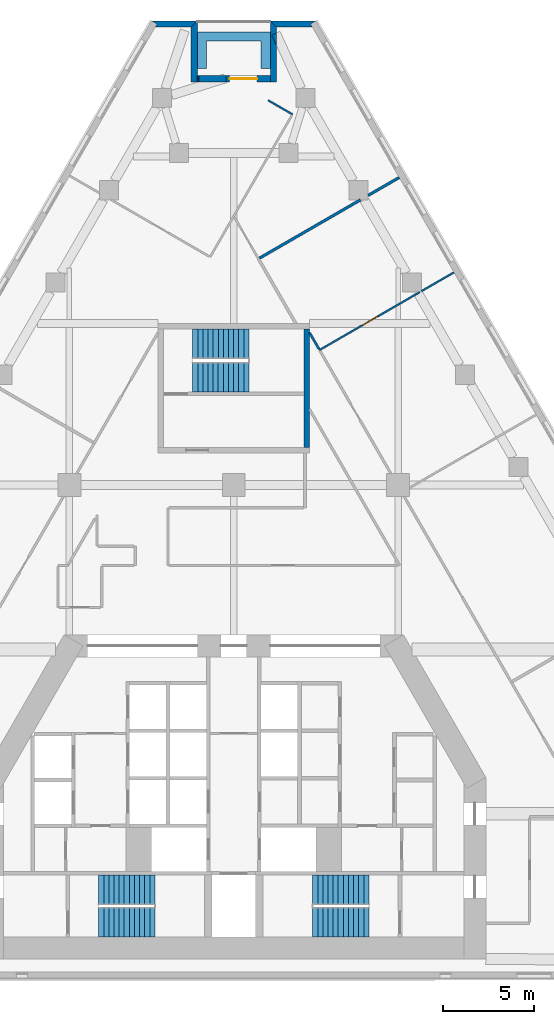
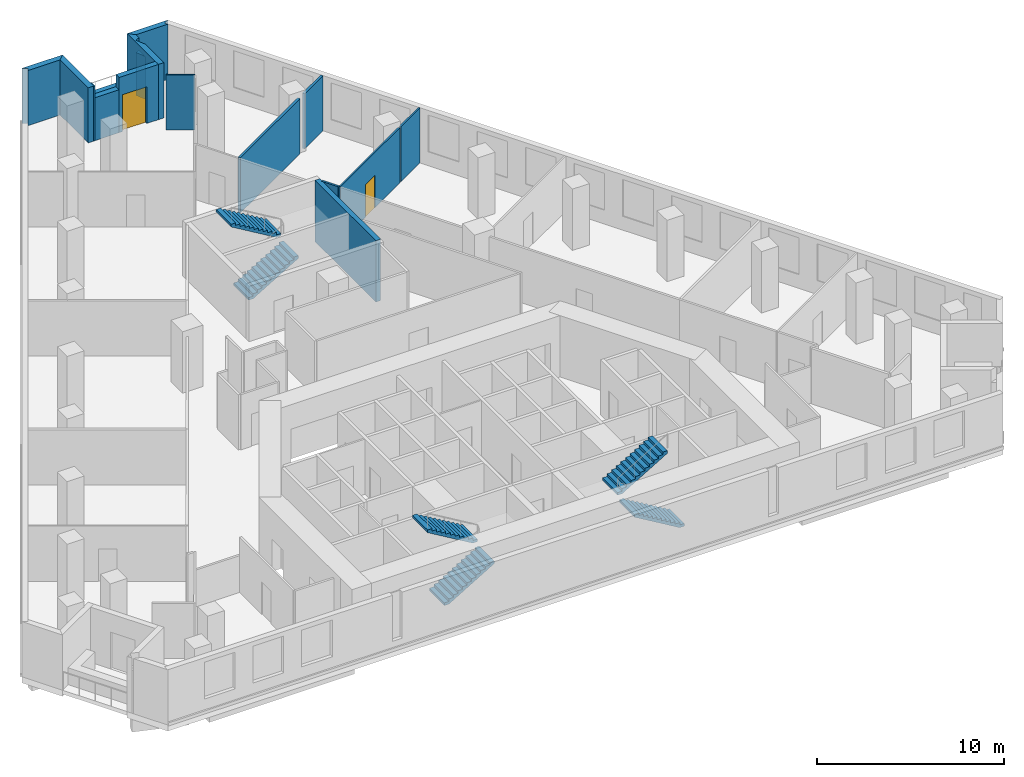
# One storey, part 9 of 10: 16 walls, 6 stair flights, 2 doors, 2 openings, 3 elements without a shape of their own.
"""IFC4 building model written with IfcOpenShell, lengths in metres."""

from ifc_helpers import new_model, si_unit, direction, frame, frame_2d, origin, place, context, subcontext, project, spatial, polyline, rectangle, outline, extrude, material, layer, layer_set, type_object, element, fill, aggregate, save


model = new_model("IFC4")

# Units and contexts
model_context = context("Model", 3, precision=1e-05, world=origin(), true_north=direction((0.0, 1.0)))
body_context = subcontext(model_context, "Body", "Model", "MODEL_VIEW")
ifc_project = project(units=[si_unit("LENGTHUNIT", "METRE"), si_unit("AREAUNIT", "SQUARE_METRE"), si_unit("VOLUMEUNIT", "CUBIC_METRE"), si_unit("PLANEANGLEUNIT", "RADIAN"), si_unit("MASSUNIT", "GRAM", prefix="KILO")], contexts=[model_context])

# Site, building, storey
site_placement = place(None, origin())
site = spatial("IfcSite", under=ifc_project, at=site_placement, CompositionType="ELEMENT")
building_placement = place(site_placement, origin())
building = spatial("IfcBuilding", under=site, at=building_placement, Name="Fogline Exchange Tower", CompositionType="ELEMENT")
storey_placement = place(building_placement, frame((0.0, 0.0, 112.10009765625)))
storey = spatial("IfcBuildingStorey", under=building, at=storey_placement, Name="L24", CompositionType="ELEMENT", Elevation=112.10009765625)

# Walls
ifc_material_1 = material(Name="Concrete C40", Category="concrete")
ifc_layer_1 = layer(ifc_material_1, 0.300048828125)
ifc_layer_set_1 = layer_set([ifc_layer_1], Name="CW30")
wall_type_1 = type_object("IfcWallType", Name="CW30", PredefinedType="SOLIDWALL", material=ifc_layer_set_1)
wall_1_placement = place(storey_placement, frame((4.0, 29.056884765625, -0.400146484375), z_axis=(0.0, 0.0, 1.0), x_axis=(0.0, 1.0, 0.0)))
element("IfcWall", 1, at=wall_1_placement, inside=storey, type_object=wall_type_1, Name="Stair enclosure wall ST3", PredefinedType="SOLIDWALL", context=body_context, shape_type="SweptSolid", body=[
    extrude(rectangle(XDim=6.5, YDim=0.300048828125, at=frame_2d((3.25, 0.0))), origin(), (0.0, 0.0, 1.0), 4.0),
])
ifc_material_2 = material(Name="Brick masonry", Category="masonry")
ifc_layer_2 = layer(ifc_material_2, 0.340087890625)
ifc_layer_set_2 = layer_set([ifc_layer_2], Name="FW1")
wall_type_2 = type_object("IfcWallType", Name="FW1", PredefinedType="SOLIDWALL", material=ifc_layer_set_2)
wall_2_placement = place(storey_placement, origin())
element("IfcWall", 2, at=wall_2_placement, inside=storey, type_object=wall_type_2, Name="Brick wall L24 N-c1", PredefinedType="SOLIDWALL", context=body_context, shape_type="SweptSolid", body=[
    extrude(outline(polyline([(1.9990234375, 52.42236328125), (4.5009765625, 52.42236328125), (4.501220703125, 52.421630859375), (4.206298828125, 52.25146484375), (4.3046875, 52.0810546875), (2.33984375, 52.0810546875), (1.998779296875, 52.421875), (1.9990234375, 52.42236328125)])), origin(), (0.0, 0.0, 1.0), 3.599853515625),
])
wall_3_placement = place(storey_placement, origin())
element("IfcWall", 3, at=wall_3_placement, inside=storey, type_object=wall_type_2, Name="Brick wall L24 N-s1", PredefinedType="SOLIDWALL", context=body_context, shape_type="SweptSolid", body=[
    extrude(outline(polyline([(2.340576171875, 51.06884765625), (2.079345703125, 51.642578125), (2.340576171875, 51.761474609375), (2.340576171875, 51.06884765625)])), origin(), (0.0, 0.0, 1.0), 2.7998046875),
])
wall_4_placement = place(storey_placement, origin())
element("IfcWall", 4, at=wall_4_placement, inside=storey, type_object=wall_type_2, Name="Brick wall L24 N-s1", PredefinedType="SOLIDWALL", context=body_context, shape_type="SweptSolid", body=[
    extrude(outline(polyline([(1.99951171875, 49.0810546875), (1.99951171875, 52.422607421875), (1.999755859375, 52.4228515625), (2.340576171875, 52.081787109375), (2.340576171875, 51.761474609375), (2.079345703125, 51.642578125), (2.340576171875, 51.06884765625), (2.340576171875, 49.0810546875), (1.99951171875, 49.0810546875)])), origin(), (0.0, 0.0, 1.0), 3.599853515625),
])

# Wall, opening, door
wall_5_placement = place(storey_placement, frame((2.0, 49.251708984375, 0.0), z_axis=(0.0, 0.0, 1.0), x_axis=(-1.0, 0.0, 0.0)))
wall_5 = element("IfcWall", 5, at=wall_5_placement, inside=storey, type_object=wall_type_2, Name="Brick wall L24 N-bk", PredefinedType="SOLIDWALL", context=body_context, shape_type="SweptSolid", body=[
    extrude(rectangle(XDim=2.421142578125, YDim=0.340087890625, at=frame_2d((1.21044921875, 0.0))), origin(), (0.0, 0.0, 1.0), 3.599853515625),
])
opening_1_placement = place(wall_5_placement, frame((0.72119140625, 0.0, 0.0)))
opening_1 = element("IfcOpeningElement", 6, at=opening_1_placement, cuts=wall_5, Name="Opening T07-E141", PredefinedType="OPENING", context=body_context, shape_type="SweptSolid", body=[
    extrude(rectangle(XDim=1.5, YDim=2.39990234375, at=frame_2d((0.75, 1.199951171875))), frame((0.0, 0.18017578125, 0.0), z_axis=(0.0, -1.0, 0.0), x_axis=(1.0, 0.0, 0.0)), (0.0, 0.0, 1.0), 0.360107421875),
])
ifc_material_3 = material(Name="Aluminium and glass", Category="aluminium")
door_type_1 = type_object("IfcDoorType", Name="ED4", OperationType="SINGLE_SWING_LEFT", PredefinedType="DOOR", material=ifc_material_3)
door_1_placement = place(opening_1_placement, frame((1.5, 0.0, 0.0), z_axis=(0.0, 0.0, 1.0), x_axis=(-1.0, 0.0, 0.0)))
door_1 = element("IfcDoor", 7, at=door_1_placement, inside=storey, type_object=door_type_1, Name="Balcony door L24 N", OperationType="DOUBLE_DOOR_SINGLE_SWING", OverallHeight=2.39990234375, OverallWidth=1.5, PredefinedType="DOOR", context=body_context, shape_type="SweptSolid", body=[
    extrude(rectangle(XDim=1.5, YDim=2.39990234375, at=frame_2d((0.75, 1.199951171875))), frame((0.0, 0.02490234375, 0.0), z_axis=(0.0, -1.0, 0.0), x_axis=(1.0, 0.0, 0.0)), (0.0, 0.0, 1.0), 0.050048828125),
])
fill(opening_1, door_1)

# Walls
wall_6_placement = place(storey_placement, frame((-0.421142578125, 49.251708984375, 0.0), z_axis=(0.0, 0.0, 1.0), x_axis=(-1.0, 0.0, 0.0)))
element("IfcWall", 8, at=wall_6_placement, inside=storey, type_object=wall_type_2, Name="Brick wall L24 N-bk", PredefinedType="SOLIDWALL", context=body_context, shape_type="SweptSolid", body=[
    extrude(rectangle(XDim=1.50830078125, YDim=0.340087890625, at=frame_2d((0.754150390625, 0.0))), origin(), (0.0, 0.0, 1.0), 2.7998046875),
])
wall_7_placement = place(storey_placement, frame((-1.929443359375, 49.251708984375, 0.0), z_axis=(0.0, 0.0, 1.0), x_axis=(-1.0, 0.0, 0.0)))
element("IfcWall", 9, at=wall_7_placement, inside=storey, type_object=wall_type_2, Name="Brick wall L24 N-bk", PredefinedType="SOLIDWALL", context=body_context, shape_type="SweptSolid", body=[
    extrude(rectangle(XDim=0.070556640625, YDim=0.340087890625, at=frame_2d((0.03515625, 0.0))), origin(), (0.0, 0.0, 1.0), 3.599853515625),
])
wall_8_placement = place(storey_placement, origin())
element("IfcWall", 10, at=wall_8_placement, inside=storey, type_object=wall_type_2, Name="Brick wall L24 N-s2", PredefinedType="SOLIDWALL", context=body_context, shape_type="SweptSolid", body=[
    extrude(outline(polyline([(-1.99951171875, 52.422607421875), (-1.99951171875, 49.0810546875), (-2.340576171875, 49.0810546875), (-2.340576171875, 52.081787109375), (-1.999755859375, 52.4228515625), (-1.99951171875, 52.422607421875)])), origin(), (0.0, 0.0, 1.0), 3.599853515625),
])
wall_9_placement = place(storey_placement, origin())
element("IfcWall", 11, at=wall_9_placement, inside=storey, type_object=wall_type_2, Name="Brick wall L24 N-c2", PredefinedType="SOLIDWALL", context=body_context, shape_type="SweptSolid", body=[
    extrude(outline(polyline([(-4.3046875, 52.0810546875), (-4.206298828125, 52.25146484375), (-4.501220703125, 52.421630859375), (-4.5009765625, 52.42236328125), (-1.9990234375, 52.42236328125), (-1.998779296875, 52.421875), (-2.33984375, 52.0810546875), (-4.3046875, 52.0810546875)])), origin(), (0.0, 0.0, 1.0), 3.599853515625),
])
ifc_material_4 = material(Name="Concrete C30", Category="concrete")
ifc_layer_3 = layer(ifc_material_4, 0.199951171875)
ifc_layer_set_3 = layer_set([ifc_layer_3], Name="PL1")
wall_type_3 = type_object("IfcWallType", Name="PL1", PredefinedType="USERDEFINED", material=ifc_layer_set_3)
wall_10_placement = place(storey_placement, origin())
element("IfcWall", 12, at=wall_10_placement, inside=storey, type_object=wall_type_3, Name="PLANTER balcony L24 N", ObjectType="PLANTER", PredefinedType="USERDEFINED", context=body_context, shape_type="SweptSolid", body=[
    extrude(outline(polyline([(-1.5, 51.82177734375), (-2.0, 51.82177734375), (-2.0, 51.32177734375), (-2.0, 49.82177734375), (-1.5, 49.82177734375), (-1.5, 51.32177734375), (1.5, 51.32177734375), (1.5, 49.82177734375), (2.0, 49.82177734375), (2.0, 51.32177734375), (2.0, 51.82177734375), (1.5, 51.82177734375), (-1.5, 51.82177734375)])), origin(), (0.0, 0.0, 1.0), 1.099853515625),
])

# Wall, opening, door
ifc_material_5 = material(Name="Plasterboard partition, 2 layers each side on steel studs", Category="steel")
ifc_layer_4 = layer(ifc_material_5, 0.10009765625)
ifc_layer_set_4 = layer_set([ifc_layer_4], Name="PW1")
wall_type_4 = type_object("IfcWallType", Name="PW1", PredefinedType="PARTITIONING", material=ifc_layer_set_4)
wall_11_placement = place(storey_placement, frame((4.697265625, 34.39990234375, 0.0), z_axis=(0.0, 0.0, 1.0), x_axis=(0.866029176715, 0.499993465035, 0.0)))
wall_11 = element("IfcWall", 13, at=wall_11_placement, inside=storey, type_object=wall_type_4, Name="wall-L24-W035", PredefinedType="PARTITIONING", context=body_context, shape_type="SweptSolid", body=[
    extrude(rectangle(XDim=6.34228515625, YDim=0.10009765625, at=frame_2d((3.171142578125, 0.0))), origin(), (0.0, 0.0, 1.0), 3.599853515625),
])
opening_2_placement = place(wall_11_placement, frame((2.671142578125, 0.0, 0.0)))
opening_2 = element("IfcOpeningElement", 14, at=opening_2_placement, cuts=wall_11, Name="Opening T07-D014", PredefinedType="OPENING", context=body_context, shape_type="SweptSolid", body=[
    extrude(rectangle(XDim=1.0, YDim=2.10009765625, at=frame_2d((0.5, 1.050048828125))), frame((0.0, 0.06005859375, 0.0), z_axis=(0.0, -1.0, 0.0), x_axis=(1.0, 0.0, 0.0)), (0.0, 0.0, 1.0), 0.1201171875),
])
ifc_material_6 = material(Name="Timber door leaf with steel frame", Category="steel")
door_type_2 = type_object("IfcDoorType", Name="D1", OperationType="SINGLE_SWING_LEFT", PredefinedType="DOOR", material=ifc_material_6)
door_2_placement = place(opening_2_placement, origin())
door_2 = element("IfcDoor", 15, at=door_2_placement, inside=storey, type_object=door_type_2, Name="door-L24-D014", OperationType="SINGLE_SWING_LEFT", OverallHeight=2.10009765625, OverallWidth=1.0, PredefinedType="DOOR", context=body_context, shape_type="SweptSolid", body=[
    extrude(rectangle(XDim=1.0, YDim=2.10009765625, at=frame_2d((0.5, 1.050048828125))), frame((0.0, 0.02490234375, 0.0), z_axis=(0.0, -1.0, 0.0), x_axis=(1.0, 0.0, 0.0)), (0.0, 0.0, 1.0), 0.050048828125),
])
fill(opening_2, door_2)

# Walls
wall_12_placement = place(storey_placement, frame((10.279296875, 37.62255859375, 0.0), z_axis=(0.0, 0.0, 1.0), x_axis=(0.866011447264, 0.500024172624, 0.0)))
element("IfcWall", 16, at=wall_12_placement, inside=storey, type_object=wall_type_4, Name="wall-L24-W036", PredefinedType="PARTITIONING", context=body_context, shape_type="SweptSolid", body=[
    extrude(rectangle(XDim=2.0546875, YDim=0.10009765625, at=frame_2d((1.02734375, 0.0))), origin(), (0.0, 0.0, 1.0), 3.599853515625),
])
wall_13_placement = place(storey_placement, frame((3.215087890625, 47.30419921875, 0.0), z_axis=(0.0, 0.0, 1.0), x_axis=(-0.865977637699, 0.500082724161, 0.0)))
element("IfcWall", 17, at=wall_13_placement, inside=storey, type_object=wall_type_4, Name="wall-L24-W041", PredefinedType="PARTITIONING", context=body_context, shape_type="SweptSolid", body=[
    extrude(rectangle(XDim=1.544677734375, YDim=0.10009765625, at=frame_2d((0.7724609375, 0.0))), origin(), (0.0, 0.0, 1.0), 3.599853515625),
])
ifc_material_7 = material(Name="Plasterboard corridor partition with mineral wool, 2 layers each side")
ifc_layer_5 = layer(ifc_material_7, 0.125)
ifc_layer_set_5 = layer_set([ifc_layer_5], Name="PW2")
wall_type_5 = type_object("IfcWallType", Name="PW2", PredefinedType="PARTITIONING", material=ifc_layer_set_5)
wall_14_placement = place(storey_placement, frame((4.14990234375, 35.347900390625, 0.0), z_axis=(0.0, 0.0, 1.0), x_axis=(0.500086724125, -0.865975327797, 0.0)))
element("IfcWall", 18, at=wall_14_placement, inside=storey, type_object=wall_type_5, Name="wall-L24-W024", PredefinedType="PARTITIONING", context=body_context, shape_type="SweptSolid", body=[
    extrude(rectangle(XDim=1.044189453125, YDim=0.125, at=frame_2d((0.52197265625, 0.0))), origin(), (0.0, 0.0, 1.0), 3.599853515625),
])
ifc_material_8 = material(Name="Plasterboard demising partition with mineral wool and acoustic board")
ifc_layer_6 = layer(ifc_material_8, 0.14990234375)
ifc_layer_set_6 = layer_set([ifc_layer_6], Name="PW3")
wall_type_6 = type_object("IfcWallType", Name="PW3", PredefinedType="PARTITIONING", material=ifc_layer_set_6)
wall_15_placement = place(storey_placement, frame((1.416015625, 39.43359375, 0.0), z_axis=(0.0, 0.0, 1.0), x_axis=(0.866021695028, 0.5000064237, 0.0)))
element("IfcWall", 19, at=wall_15_placement, inside=storey, type_object=wall_type_6, Name="wall-L24-W037", PredefinedType="PARTITIONING", context=body_context, shape_type="SweptSolid", body=[
    extrude(rectangle(XDim=6.37548828125, YDim=0.14990234375, at=frame_2d((3.187744140625, 0.0))), origin(), (0.0, 0.0, 1.0), 3.599853515625),
])
wall_16_placement = place(storey_placement, frame((7.36328125, 42.867431640625, 0.0), z_axis=(0.0, 0.0, 1.0), x_axis=(0.866085900082, 0.499895202697, 0.0)))
element("IfcWall", 20, at=wall_16_placement, inside=storey, type_object=wall_type_6, Name="wall-L24-W038", PredefinedType="PARTITIONING", context=body_context, shape_type="SweptSolid", body=[
    extrude(rectangle(XDim=1.95751953125, YDim=0.14990234375, at=frame_2d((0.978759765625, 0.0))), origin(), (0.0, 0.0, 1.0), 3.599853515625),
])

# Stair, stair flights
stair_type = type_object("IfcStairType", Name="STR24-1667", PredefinedType="HALF_TURN_STAIR", material=ifc_material_1)
stair_1_placement = place(storey_placement, origin())
stair_1 = element("IfcStair", 21, at=stair_1_placement, inside=storey, type_object=stair_type, Name="Stair ST1", PredefinedType="HALF_TURN_STAIR")
stair_flight_type = type_object("IfcStairFlightType", Name="SF12-1667", PredefinedType="STRAIGHT", material=ifc_material_1)
stair_flight_1_placement = place(storey_placement, frame((-7.39990234375, 3.050048828125, 0.0), z_axis=(0.0, 0.0, 1.0), x_axis=(1.0, 0.0, 0.0)))
stair_flight_1 = element("IfcStairFlight", 22, at=stair_flight_1_placement, type_object=stair_flight_type, Name="ST1 flight 1", NumberOfRisers=12, NumberOfTreads=11, PredefinedType="STRAIGHT", RiserHeight=0.166666667, TreadLength=0.28, context=body_context, shape_type="SweptSolid", body=[
    extrude(outline(polyline([(0.0, 0.0), (0.0, 0.166748046875), (0.280029296875, 0.166748046875), (0.280029296875, 0.333251953125), (0.56005859375, 0.333251953125), (0.56005859375, 0.5), (0.840087890625, 0.5), (0.840087890625, 0.666748046875), (1.1201171875, 0.666748046875), (1.1201171875, 0.833251953125), (1.39990234375, 0.833251953125), (1.39990234375, 1.0), (1.679931640625, 1.0), (1.679931640625, 1.166748046875), (1.9599609375, 1.166748046875), (1.9599609375, 1.333251953125), (2.239990234375, 1.333251953125), (2.239990234375, 1.5), (2.52001953125, 1.5), (2.52001953125, 1.666748046875), (2.800048828125, 1.666748046875), (2.800048828125, 1.833251953125), (3.080078125, 1.833251953125), (3.080078125, 2.0), (3.080078125, 1.658935546875), (0.29296875, 0.0), (0.0, 0.0)])), frame((0.0, 0.800048828125, 0.0), z_axis=(0.0, -1.0, 0.0), x_axis=(1.0, 0.0, 0.0)), (0.0, 0.0, 1.0), 1.60009765625),
])
stair_flight_2_placement = place(storey_placement, frame((-4.320068359375, 4.85009765625, 2.0), z_axis=(0.0, 0.0, 1.0), x_axis=(-1.0, 0.0, 0.0)))
stair_flight_2 = element("IfcStairFlight", 23, at=stair_flight_2_placement, type_object=stair_flight_type, Name="ST1 flight 2", NumberOfRisers=12, NumberOfTreads=11, PredefinedType="STRAIGHT", RiserHeight=0.166666667, TreadLength=0.28, context=body_context, shape_type="SweptSolid", body=[
    extrude(outline(polyline([(0.0, 0.0), (0.0, 0.166748046875), (0.280029296875, 0.166748046875), (0.280029296875, 0.333251953125), (0.56005859375, 0.333251953125), (0.56005859375, 0.5), (0.840087890625, 0.5), (0.840087890625, 0.666748046875), (1.1201171875, 0.666748046875), (1.1201171875, 0.833251953125), (1.39990234375, 0.833251953125), (1.39990234375, 1.0), (1.679931640625, 1.0), (1.679931640625, 1.166748046875), (1.9599609375, 1.166748046875), (1.9599609375, 1.333251953125), (2.239990234375, 1.333251953125), (2.239990234375, 1.5), (2.52001953125, 1.5), (2.52001953125, 1.666748046875), (2.800048828125, 1.666748046875), (2.800048828125, 1.833251953125), (3.080078125, 1.833251953125), (3.080078125, 2.0), (3.080078125, 1.658935546875), (0.29296875, 0.0), (0.0, 0.0)])), frame((0.0, 0.800048828125, 0.0), z_axis=(0.0, -1.0, 0.0), x_axis=(1.0, 0.0, 0.0)), (0.0, 0.0, 1.0), 1.60009765625),
])
aggregate(stair_1, [stair_flight_1, stair_flight_2])

stair_2_placement = place(storey_placement, origin())
stair_2 = element("IfcStair", 24, at=stair_2_placement, inside=storey, type_object=stair_type, Name="Stair ST2", PredefinedType="HALF_TURN_STAIR")
stair_flight_3_placement = place(storey_placement, frame((7.39990234375, 3.050048828125, 0.0), z_axis=(0.0, 0.0, 1.0), x_axis=(-1.0, 0.0, 0.0)))
stair_flight_3 = element("IfcStairFlight", 25, at=stair_flight_3_placement, type_object=stair_flight_type, Name="ST2 flight 1", NumberOfRisers=12, NumberOfTreads=11, PredefinedType="STRAIGHT", RiserHeight=0.166666667, TreadLength=0.28, context=body_context, shape_type="SweptSolid", body=[
    extrude(outline(polyline([(0.0, 0.0), (0.0, 0.166748046875), (0.280029296875, 0.166748046875), (0.280029296875, 0.333251953125), (0.56005859375, 0.333251953125), (0.56005859375, 0.5), (0.840087890625, 0.5), (0.840087890625, 0.666748046875), (1.1201171875, 0.666748046875), (1.1201171875, 0.833251953125), (1.39990234375, 0.833251953125), (1.39990234375, 1.0), (1.679931640625, 1.0), (1.679931640625, 1.166748046875), (1.9599609375, 1.166748046875), (1.9599609375, 1.333251953125), (2.239990234375, 1.333251953125), (2.239990234375, 1.5), (2.52001953125, 1.5), (2.52001953125, 1.666748046875), (2.800048828125, 1.666748046875), (2.800048828125, 1.833251953125), (3.080078125, 1.833251953125), (3.080078125, 2.0), (3.080078125, 1.658935546875), (0.29296875, 0.0), (0.0, 0.0)])), frame((0.0, 0.800048828125, 0.0), z_axis=(0.0, -1.0, 0.0), x_axis=(1.0, 0.0, 0.0)), (0.0, 0.0, 1.0), 1.60009765625),
])
stair_flight_4_placement = place(storey_placement, frame((4.320068359375, 4.85009765625, 2.0), z_axis=(0.0, 0.0, 1.0), x_axis=(1.0, 0.0, 0.0)))
stair_flight_4 = element("IfcStairFlight", 26, at=stair_flight_4_placement, type_object=stair_flight_type, Name="ST2 flight 2", NumberOfRisers=12, NumberOfTreads=11, PredefinedType="STRAIGHT", RiserHeight=0.166666667, TreadLength=0.28, context=body_context, shape_type="SweptSolid", body=[
    extrude(outline(polyline([(0.0, 0.0), (0.0, 0.166748046875), (0.280029296875, 0.166748046875), (0.280029296875, 0.333251953125), (0.56005859375, 0.333251953125), (0.56005859375, 0.5), (0.840087890625, 0.5), (0.840087890625, 0.666748046875), (1.1201171875, 0.666748046875), (1.1201171875, 0.833251953125), (1.39990234375, 0.833251953125), (1.39990234375, 1.0), (1.679931640625, 1.0), (1.679931640625, 1.166748046875), (1.9599609375, 1.166748046875), (1.9599609375, 1.333251953125), (2.239990234375, 1.333251953125), (2.239990234375, 1.5), (2.52001953125, 1.5), (2.52001953125, 1.666748046875), (2.800048828125, 1.666748046875), (2.800048828125, 1.833251953125), (3.080078125, 1.833251953125), (3.080078125, 2.0), (3.080078125, 1.658935546875), (0.29296875, 0.0), (0.0, 0.0)])), frame((0.0, 0.800048828125, 0.0), z_axis=(0.0, -1.0, 0.0), x_axis=(1.0, 0.0, 0.0)), (0.0, 0.0, 1.0), 1.60009765625),
])
aggregate(stair_2, [stair_flight_3, stair_flight_4])

stair_3_placement = place(storey_placement, origin())
stair_3 = element("IfcStair", 27, at=stair_3_placement, inside=storey, type_object=stair_type, Name="Stair ST3", PredefinedType="HALF_TURN_STAIR")
stair_flight_5_placement = place(storey_placement, frame((-2.25, 32.906982421875, 0.0), z_axis=(0.0, 0.0, 1.0), x_axis=(1.0, 0.0, 0.0)))
stair_flight_5 = element("IfcStairFlight", 28, at=stair_flight_5_placement, type_object=stair_flight_type, Name="ST3 flight 1", NumberOfRisers=12, NumberOfTreads=11, PredefinedType="STRAIGHT", RiserHeight=0.166666667, TreadLength=0.28, context=body_context, shape_type="SweptSolid", body=[
    extrude(outline(polyline([(0.0, 0.0), (0.0, 0.166748046875), (0.280029296875, 0.166748046875), (0.280029296875, 0.333251953125), (0.56005859375, 0.333251953125), (0.56005859375, 0.5), (0.840087890625, 0.5), (0.840087890625, 0.666748046875), (1.1201171875, 0.666748046875), (1.1201171875, 0.833251953125), (1.39990234375, 0.833251953125), (1.39990234375, 1.0), (1.679931640625, 1.0), (1.679931640625, 1.166748046875), (1.9599609375, 1.166748046875), (1.9599609375, 1.333251953125), (2.239990234375, 1.333251953125), (2.239990234375, 1.5), (2.52001953125, 1.5), (2.52001953125, 1.666748046875), (2.800048828125, 1.666748046875), (2.800048828125, 1.833251953125), (3.080078125, 1.833251953125), (3.080078125, 2.0), (3.080078125, 1.658935546875), (0.29296875, 0.0), (0.0, 0.0)])), frame((0.0, 0.800048828125, 0.0), z_axis=(0.0, -1.0, 0.0), x_axis=(1.0, 0.0, 0.0)), (0.0, 0.0, 1.0), 1.60009765625),
])
stair_flight_6_placement = place(storey_placement, frame((0.830078125, 34.757080078125, 2.0), z_axis=(0.0, 0.0, 1.0), x_axis=(-1.0, 0.0, 0.0)))
stair_flight_6 = element("IfcStairFlight", 29, at=stair_flight_6_placement, type_object=stair_flight_type, Name="ST3 flight 2", NumberOfRisers=12, NumberOfTreads=11, PredefinedType="STRAIGHT", RiserHeight=0.166666667, TreadLength=0.28, context=body_context, shape_type="SweptSolid", body=[
    extrude(outline(polyline([(0.0, 0.0), (0.0, 0.166748046875), (0.280029296875, 0.166748046875), (0.280029296875, 0.333251953125), (0.56005859375, 0.333251953125), (0.56005859375, 0.5), (0.840087890625, 0.5), (0.840087890625, 0.666748046875), (1.1201171875, 0.666748046875), (1.1201171875, 0.833251953125), (1.39990234375, 0.833251953125), (1.39990234375, 1.0), (1.679931640625, 1.0), (1.679931640625, 1.166748046875), (1.9599609375, 1.166748046875), (1.9599609375, 1.333251953125), (2.239990234375, 1.333251953125), (2.239990234375, 1.5), (2.52001953125, 1.5), (2.52001953125, 1.666748046875), (2.800048828125, 1.666748046875), (2.800048828125, 1.833251953125), (3.080078125, 1.833251953125), (3.080078125, 2.0), (3.080078125, 1.658935546875), (0.29296875, 0.0), (0.0, 0.0)])), frame((0.0, 0.800048828125, 0.0), z_axis=(0.0, -1.0, 0.0), x_axis=(1.0, 0.0, 0.0)), (0.0, 0.0, 1.0), 1.60009765625),
])
aggregate(stair_3, [stair_flight_5, stair_flight_6])

save(model, "model.ifc")
